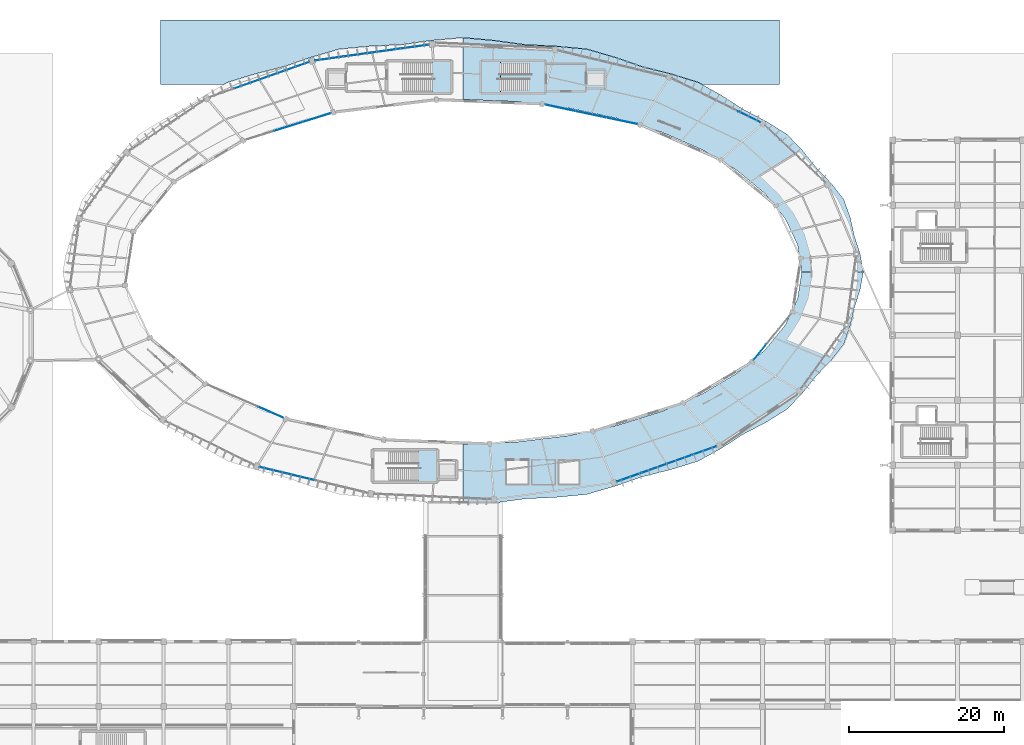
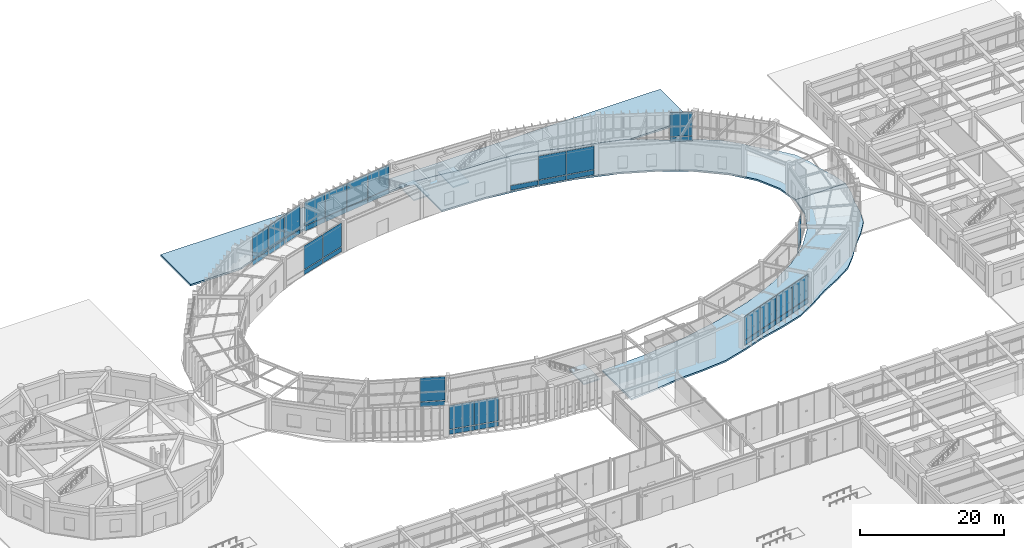
# One storey, part 115 of 157: 41 plates, 6 slabs, 12 elements without a shape of their own.
"""IFC4 building model written with IfcOpenShell, lengths in metres."""

from ifc_helpers import new_model, si_unit, direction, frame, origin, origin_2d, place, context, subcontext, project, spatial, polyline, rectangle, outline, extrude, material, layer, layer_set, type_object, element, aggregate, save


model = new_model("IFC4")

# Units and contexts
model_context = context("Model", 3, precision=1e-05, world=origin(), true_north=direction((0.0, 1.0)))
body_context = subcontext(model_context, "Body", "Model", "MODEL_VIEW")
ifc_project = project(units=[si_unit("LENGTHUNIT", "METRE"), si_unit("AREAUNIT", "SQUARE_METRE"), si_unit("VOLUMEUNIT", "CUBIC_METRE"), si_unit("PLANEANGLEUNIT", "RADIAN"), si_unit("MASSUNIT", "GRAM", prefix="KILO"), si_unit("THERMODYNAMICTEMPERATUREUNIT", "KELVIN"), si_unit("POWERUNIT", "WATT")], contexts=[model_context])

# Site, building, storey
site_placement = place(None, origin())
site = spatial("IfcSite", under=ifc_project, at=site_placement, CompositionType="ELEMENT")
building_placement = place(site_placement, origin())
building = spatial("IfcBuilding", under=site, at=building_placement, Name="Darbajah Civic Hall", CompositionType="ELEMENT")
storey_placement = place(building_placement, origin())
storey = spatial("IfcBuildingStorey", under=building, at=storey_placement, Name="L00", CompositionType="ELEMENT", Elevation=0.0)

# Slab
ifc_material_1 = material(Name="Concrete C45/55", Category="concrete")
ifc_layer_1 = layer(ifc_material_1, 0.300048828125, Name="Concrete C45/55")
ifc_layer_set_1 = layer_set([ifc_layer_1], Name="Concrete C45/55")
slab_type_1 = type_object("IfcSlabType", Name="Exterior Plaza Deck Slab 300mm", PredefinedType="FLOOR", material=ifc_layer_set_1)
slab_1_placement = place(storey_placement, frame((0.0, 0.0, -0.300048828125)))
element("IfcSlab", 1, at=slab_1_placement, inside=storey, type_object=slab_type_1, Name="L00 exterior civic plaza deck APR-N-1", PredefinedType="FLOOR", context=body_context, shape_type="SweptSolid", body=[
    extrude(outline(polyline([(50.0, 114.0), (50.0, 122.35009765625), (130.0, 122.35009765625), (130.0, 114.0), (120.054931640625, 114.0), (119.529296875, 114.292724609375), (119.527587890625, 114.293701171875), (119.525634765625, 114.294189453125), (116.004150390625, 115.38134765625), (116.0029296875, 115.381591796875), (112.353271484375, 116.288330078125), (108.806884765625, 117.516845703125), (108.80615234375, 117.51708984375), (105.09814453125, 118.591552734375), (105.09619140625, 118.591796875), (105.094482421875, 118.59228515625), (101.11962890625, 118.9716796875), (101.11865234375, 118.9716796875), (97.1123046875, 119.1611328125), (93.141845703125, 119.70751953125), (93.140869140625, 119.70751953125), (89.101806640625, 120.072998046875), (89.10009765625, 120.072998046875), (89.09814453125, 120.072998046875), (85.05908203125, 119.70751953125), (85.05810546875, 119.70751953125), (81.087646484375, 119.1611328125), (77.081298828125, 118.9716796875), (77.080322265625, 118.9716796875), (73.10546875, 118.59228515625), (73.103759765625, 118.591796875), (73.101806640625, 118.591552734375), (69.393798828125, 117.51708984375), (69.39306640625, 117.516845703125), (65.8466796875, 116.288330078125), (62.197021484375, 115.381591796875), (62.19580078125, 115.38134765625), (58.67431640625, 114.294189453125), (58.67236328125, 114.293701171875), (58.670654296875, 114.292724609375), (58.14501953125, 114.0), (50.0, 114.0)])), origin(), (0.0, 0.0, 1.0), 0.300048828125),
])

# Curtain wall, plates
ifc_material_2 = material(Name="Anodised Bronze Aluminium and Low-E Glazing", Category="aluminium")
curtain_wall_type_1 = type_object("IfcCurtainWallType", Name="Unitised Curtain Wall CW-02 12800x5100", PredefinedType="USERDEFINED", material=ifc_material_2)
curtain_wall_1_placement = place(storey_placement, origin())
curtain_wall_1 = element("IfcCurtainWall", 2, at=curtain_wall_1_placement, inside=storey, type_object=curtain_wall_type_1, Name="L00 unitised curtain wall CW-V1O-L00-02", ObjectType="UNITISED CURTAIN WALL", PredefinedType="USERDEFINED")
ifc_material_3 = material(Name="Low-E Solar Control Double Glazing", Category="glass")
ifc_layer_2 = layer(ifc_material_3, 0.02392578125, Name="Low-E Solar Control Double Glazing")
ifc_layer_set_2 = layer_set([ifc_layer_2], Name="Low-E Solar Control Double Glazing")
plate_type_1 = type_object("IfcPlateType", Name="Solar Double Glazing 24mm", PredefinedType="CURTAIN_PANEL", material=ifc_layer_set_2)
plate_1_placement = place(storey_placement, frame((126.110595703125, 109.833251953125, 0.10009765625), z_axis=(0.0, 0.0, 1.0), x_axis=(-0.89656374724, 0.442914717678, 0.0)))
plate_1 = element("IfcPlate", 3, at=plate_1_placement, type_object=plate_type_1, Name="CW-V1O-L00-02 glazed panel 1.1", PredefinedType="CURTAIN_PANEL", context=body_context, shape_type="SweptSolid", body=[
    extrude(rectangle(XDim=3.1298828125, YDim=0.02392578125, at=origin_2d()), origin(), (0.0, 0.0, 1.0), 0.800048828125),
])
plate_2_placement = place(storey_placement, frame((126.110595703125, 109.833251953125, 1.0), z_axis=(0.0, 0.0, 1.0), x_axis=(-0.89656374724, 0.442914717678, 0.0)))
plate_2 = element("IfcPlate", 4, at=plate_2_placement, type_object=plate_type_1, Name="CW-V1O-L00-02 glazed panel 1.2", PredefinedType="CURTAIN_PANEL", context=body_context, shape_type="SweptSolid", body=[
    extrude(rectangle(XDim=3.1298828125, YDim=0.02392578125, at=origin_2d()), origin(), (0.0, 0.0, 1.0), 4.02001953125),
])
aggregate(curtain_wall_1, [plate_1, plate_2])

curtain_wall_type_2 = type_object("IfcCurtainWallType", Name="Unitised Curtain Wall CW-05 14900x5100", PredefinedType="USERDEFINED", material=ifc_material_2)
curtain_wall_2_placement = place(storey_placement, origin())
curtain_wall_2 = element("IfcCurtainWall", 5, at=curtain_wall_2_placement, inside=storey, type_object=curtain_wall_type_2, Name="L00 unitised curtain wall CW-V1O-L00-05", ObjectType="UNITISED CURTAIN WALL", PredefinedType="USERDEFINED")
plate_3_placement = place(storey_placement, frame((82.879150390625, 118.90087890625, 0.10009765625), z_axis=(0.0, 0.0, 1.0), x_axis=(-0.990485459553, -0.137617420457, 0.0)))
plate_3 = element("IfcPlate", 6, at=plate_3_placement, type_object=plate_type_1, Name="CW-V1O-L00-05 glazed panel 1.1", PredefinedType="CURTAIN_PANEL", context=body_context, shape_type="SweptSolid", body=[
    extrude(rectangle(XDim=3.66259765625, YDim=0.02392578125, at=origin_2d()), origin(), (0.0, 0.0, 1.0), 0.800048828125),
])
plate_4_placement = place(storey_placement, frame((82.879150390625, 118.90087890625, 1.0), z_axis=(0.0, 0.0, 1.0), x_axis=(-0.990485459553, -0.137617420457, 0.0)))
plate_4 = element("IfcPlate", 7, at=plate_4_placement, type_object=plate_type_1, Name="CW-V1O-L00-05 glazed panel 1.2", PredefinedType="CURTAIN_PANEL", context=body_context, shape_type="SweptSolid", body=[
    extrude(rectangle(XDim=3.66259765625, YDim=0.02392578125, at=origin_2d()), origin(), (0.0, 0.0, 1.0), 4.02001953125),
])
plate_5_placement = place(storey_placement, frame((79.18701171875, 118.38818359375, 0.10009765625), z_axis=(0.0, 0.0, 1.0), x_axis=(-0.990485459553, -0.137617420457, 0.0)))
plate_5 = element("IfcPlate", 8, at=plate_5_placement, type_object=plate_type_1, Name="CW-V1O-L00-05 glazed panel 2.1", PredefinedType="CURTAIN_PANEL", context=body_context, shape_type="SweptSolid", body=[
    extrude(rectangle(XDim=3.66259765625, YDim=0.02392578125, at=origin_2d()), origin(), (0.0, 0.0, 1.0), 0.800048828125),
])
plate_6_placement = place(storey_placement, frame((79.18701171875, 118.38818359375, 1.0), z_axis=(0.0, 0.0, 1.0), x_axis=(-0.990485459553, -0.137617420457, 0.0)))
plate_6 = element("IfcPlate", 9, at=plate_6_placement, type_object=plate_type_1, Name="CW-V1O-L00-05 glazed panel 2.2", PredefinedType="CURTAIN_PANEL", context=body_context, shape_type="SweptSolid", body=[
    extrude(rectangle(XDim=3.66259765625, YDim=0.02392578125, at=origin_2d()), origin(), (0.0, 0.0, 1.0), 4.02001953125),
])
plate_7_placement = place(storey_placement, frame((75.494873046875, 117.87548828125, 0.10009765625), z_axis=(0.0, 0.0, 1.0), x_axis=(-0.990485459553, -0.137617420457, 0.0)))
plate_7 = element("IfcPlate", 10, at=plate_7_placement, type_object=plate_type_1, Name="CW-V1O-L00-05 glazed panel 3.1", PredefinedType="CURTAIN_PANEL", context=body_context, shape_type="SweptSolid", body=[
    extrude(rectangle(XDim=3.66259765625, YDim=0.02392578125, at=origin_2d()), origin(), (0.0, 0.0, 1.0), 0.800048828125),
])
plate_8_placement = place(storey_placement, frame((75.494873046875, 117.87548828125, 1.0), z_axis=(0.0, 0.0, 1.0), x_axis=(-0.990485459553, -0.137617420457, 0.0)))
plate_8 = element("IfcPlate", 11, at=plate_8_placement, type_object=plate_type_1, Name="CW-V1O-L00-05 glazed panel 3.2", PredefinedType="CURTAIN_PANEL", context=body_context, shape_type="SweptSolid", body=[
    extrude(rectangle(XDim=3.66259765625, YDim=0.02392578125, at=origin_2d()), origin(), (0.0, 0.0, 1.0), 4.02001953125),
])
plate_9_placement = place(storey_placement, frame((71.802490234375, 117.36279296875, 0.10009765625), z_axis=(0.0, 0.0, 1.0), x_axis=(-0.990485459553, -0.137617420457, 0.0)))
plate_9 = element("IfcPlate", 12, at=plate_9_placement, type_object=plate_type_1, Name="CW-V1O-L00-05 glazed panel 4.1", PredefinedType="CURTAIN_PANEL", context=body_context, shape_type="SweptSolid", body=[
    extrude(rectangle(XDim=3.66259765625, YDim=0.02392578125, at=origin_2d()), origin(), (0.0, 0.0, 1.0), 0.800048828125),
])
plate_10_placement = place(storey_placement, frame((71.802490234375, 117.36279296875, 1.0), z_axis=(0.0, 0.0, 1.0), x_axis=(-0.990485459553, -0.137617420457, 0.0)))
plate_10 = element("IfcPlate", 13, at=plate_10_placement, type_object=plate_type_1, Name="CW-V1O-L00-05 glazed panel 4.2", PredefinedType="CURTAIN_PANEL", context=body_context, shape_type="SweptSolid", body=[
    extrude(rectangle(XDim=3.66259765625, YDim=0.02392578125, at=origin_2d()), origin(), (0.0, 0.0, 1.0), 4.02001953125),
])
aggregate(curtain_wall_2, [plate_3, plate_4, plate_5, plate_6, plate_7, plate_8, plate_9, plate_10])

curtain_wall_type_3 = type_object("IfcCurtainWallType", Name="Unitised Curtain Wall CW-04 12200x5100", PredefinedType="USERDEFINED", material=ifc_material_2)
curtain_wall_3_placement = place(storey_placement, origin())
curtain_wall_3 = element("IfcCurtainWall", 14, at=curtain_wall_3_placement, inside=storey, type_object=curtain_wall_type_3, Name="L00 unitised curtain wall CW-V1I-L00-03", ObjectType="UNITISED CURTAIN WALL", PredefinedType="USERDEFINED")
ifc_layer_3 = layer(ifc_material_3, 0.028076171875, Name="Low-E Solar Control Double Glazing")
ifc_layer_set_3 = layer_set([ifc_layer_3], Name="Low-E Solar Control Double Glazing")
plate_type_2 = type_object("IfcPlateType", Name="Solar Double Glazing 28mm", PredefinedType="CURTAIN_PANEL", material=ifc_layer_set_3)
plate_11_placement = place(storey_placement, frame((109.645751953125, 109.30712890625, 0.119873046875), z_axis=(0.0, 0.0, 1.0), x_axis=(-0.978472980779, 0.206374964291, 0.0)))
plate_11 = element("IfcPlate", 15, at=plate_11_placement, type_object=plate_type_2, Name="CW-V1I-L00-03 glazed panel 1.1", PredefinedType="CURTAIN_PANEL", context=body_context, shape_type="SweptSolid", body=[
    extrude(rectangle(XDim=4.00830078125, YDim=0.028076171875, at=origin_2d()), origin(), (0.0, 0.0, 1.0), 0.77001953125),
])
plate_12_placement = place(storey_placement, frame((109.645751953125, 109.30712890625, 1.009765625), z_axis=(0.0, 0.0, 1.0), x_axis=(-0.978472980779, 0.206374964291, 0.0)))
plate_12 = element("IfcPlate", 16, at=plate_12_placement, type_object=plate_type_2, Name="CW-V1I-L00-03 glazed panel 1.2", PredefinedType="CURTAIN_PANEL", context=body_context, shape_type="SweptSolid", body=[
    extrude(rectangle(XDim=4.00830078125, YDim=0.028076171875, at=origin_2d()), origin(), (0.0, 0.0, 1.0), 3.989990234375),
])
plate_13_placement = place(storey_placement, frame((105.6552734375, 110.148681640625, 0.119873046875), z_axis=(0.0, 0.0, 1.0), x_axis=(-0.978472980779, 0.206374964291, 0.0)))
plate_13 = element("IfcPlate", 17, at=plate_13_placement, type_object=plate_type_2, Name="CW-V1I-L00-03 glazed panel 2.1", PredefinedType="CURTAIN_PANEL", context=body_context, shape_type="SweptSolid", body=[
    extrude(rectangle(XDim=4.00830078125, YDim=0.028076171875, at=origin_2d()), origin(), (0.0, 0.0, 1.0), 0.77001953125),
])
plate_14_placement = place(storey_placement, frame((105.6552734375, 110.148681640625, 1.009765625), z_axis=(0.0, 0.0, 1.0), x_axis=(-0.978472980779, 0.206374964291, 0.0)))
plate_14 = element("IfcPlate", 18, at=plate_14_placement, type_object=plate_type_2, Name="CW-V1I-L00-03 glazed panel 2.2", PredefinedType="CURTAIN_PANEL", context=body_context, shape_type="SweptSolid", body=[
    extrude(rectangle(XDim=4.00830078125, YDim=0.028076171875, at=origin_2d()), origin(), (0.0, 0.0, 1.0), 3.989990234375),
])
plate_15_placement = place(storey_placement, frame((101.66455078125, 110.990478515625, 0.119873046875), z_axis=(0.0, 0.0, 1.0), x_axis=(-0.978472980779, 0.206374964291, 0.0)))
plate_15 = element("IfcPlate", 19, at=plate_15_placement, type_object=plate_type_2, Name="CW-V1I-L00-03 glazed panel 3.1", PredefinedType="CURTAIN_PANEL", context=body_context, shape_type="SweptSolid", body=[
    extrude(rectangle(XDim=4.00830078125, YDim=0.028076171875, at=origin_2d()), origin(), (0.0, 0.0, 1.0), 0.77001953125),
])
aggregate(curtain_wall_3, [plate_11, plate_12, plate_13, plate_14, plate_15])

curtain_wall_type_4 = type_object("IfcCurtainWallType", Name="Unitised Curtain Wall CW-07 11500x5100", PredefinedType="USERDEFINED", material=ifc_material_2)
curtain_wall_4_placement = place(storey_placement, origin())
curtain_wall_4 = element("IfcCurtainWall", 20, at=curtain_wall_4_placement, inside=storey, type_object=curtain_wall_type_4, Name="L00 unitised curtain wall CW-V1I-L00-06", ObjectType="UNITISED CURTAIN WALL", PredefinedType="USERDEFINED")
plate_16_placement = place(storey_placement, frame((70.1669921875, 109.72509765625, 0.119873046875), z_axis=(0.0, 0.0, 1.0), x_axis=(-0.954604963513, -0.297874744877, 0.0)))
plate_16 = element("IfcPlate", 21, at=plate_16_placement, type_object=plate_type_2, Name="CW-V1I-L00-06 glazed panel 1.1", PredefinedType="CURTAIN_PANEL", context=body_context, shape_type="SweptSolid", body=[
    extrude(rectangle(XDim=3.775390625, YDim=0.028076171875, at=origin_2d()), origin(), (0.0, 0.0, 1.0), 0.77001953125),
])
plate_17_placement = place(storey_placement, frame((70.1669921875, 109.72509765625, 1.009765625), z_axis=(0.0, 0.0, 1.0), x_axis=(-0.954604963513, -0.297874744877, 0.0)))
plate_17 = element("IfcPlate", 22, at=plate_17_placement, type_object=plate_type_2, Name="CW-V1I-L00-06 glazed panel 1.2", PredefinedType="CURTAIN_PANEL", context=body_context, shape_type="SweptSolid", body=[
    extrude(rectangle(XDim=3.775390625, YDim=0.028076171875, at=origin_2d()), origin(), (0.0, 0.0, 1.0), 3.989990234375),
])
plate_18_placement = place(storey_placement, frame((66.496337890625, 108.579833984375, 0.119873046875), z_axis=(0.0, 0.0, 1.0), x_axis=(-0.954604963513, -0.297874744877, 0.0)))
plate_18 = element("IfcPlate", 23, at=plate_18_placement, type_object=plate_type_2, Name="CW-V1I-L00-06 glazed panel 2.1", PredefinedType="CURTAIN_PANEL", context=body_context, shape_type="SweptSolid", body=[
    extrude(rectangle(XDim=3.775390625, YDim=0.028076171875, at=origin_2d()), origin(), (0.0, 0.0, 1.0), 0.77001953125),
])
plate_19_placement = place(storey_placement, frame((66.496337890625, 108.579833984375, 1.009765625), z_axis=(0.0, 0.0, 1.0), x_axis=(-0.954604963513, -0.297874744877, 0.0)))
plate_19 = element("IfcPlate", 24, at=plate_19_placement, type_object=plate_type_2, Name="CW-V1I-L00-06 glazed panel 2.2", PredefinedType="CURTAIN_PANEL", context=body_context, shape_type="SweptSolid", body=[
    extrude(rectangle(XDim=3.775390625, YDim=0.028076171875, at=origin_2d()), origin(), (0.0, 0.0, 1.0), 3.989990234375),
])
aggregate(curtain_wall_4, [plate_16, plate_17, plate_18, plate_19])

curtain_wall_type_5 = type_object("IfcCurtainWallType", Name="Unitised Curtain Wall CW-01 10700x5100", PredefinedType="USERDEFINED", material=ifc_material_2)
curtain_wall_5_placement = place(storey_placement, origin())
curtain_wall_5 = element("IfcCurtainWall", 25, at=curtain_wall_5_placement, inside=storey, type_object=curtain_wall_type_5, Name="L00 unitised curtain wall CW-V1I-L00-12", ObjectType="UNITISED CURTAIN WALL", PredefinedType="USERDEFINED")
plate_20_placement = place(storey_placement, frame((64.2626953125, 71.635009765625, 0.119873046875), z_axis=(0.0, 0.0, 1.0), x_axis=(0.917060074385, -0.398749068925, 0.0)))
plate_20 = element("IfcPlate", 26, at=plate_20_placement, type_object=plate_type_2, Name="CW-V1I-L00-12 glazed panel 3.1", PredefinedType="CURTAIN_PANEL", context=body_context, shape_type="SweptSolid", body=[
    extrude(rectangle(XDim=3.48291015625, YDim=0.028076171875, at=origin_2d()), origin(), (0.0, 0.0, 1.0), 0.77001953125),
])
plate_21_placement = place(storey_placement, frame((64.2626953125, 71.635009765625, 1.009765625), z_axis=(0.0, 0.0, 1.0), x_axis=(0.917060074385, -0.398749068925, 0.0)))
plate_21 = element("IfcPlate", 27, at=plate_21_placement, type_object=plate_type_2, Name="CW-V1I-L00-12 glazed panel 3.2", PredefinedType="CURTAIN_PANEL", context=body_context, shape_type="SweptSolid", body=[
    extrude(rectangle(XDim=3.48291015625, YDim=0.028076171875, at=origin_2d()), origin(), (0.0, 0.0, 1.0), 3.989990234375),
])
aggregate(curtain_wall_5, [plate_20, plate_21])

curtain_wall_type_6 = type_object("IfcCurtainWallType", Name="Unitised Curtain Wall CW-13 14400x5100", PredefinedType="USERDEFINED", material=ifc_material_2)
curtain_wall_6_placement = place(storey_placement, origin())
curtain_wall_6 = element("IfcCurtainWall", 28, at=curtain_wall_6_placement, inside=storey, type_object=curtain_wall_type_6, Name="L00 unitised curtain wall CW-V1O-L00-13", ObjectType="UNITISED CURTAIN WALL", PredefinedType="USERDEFINED")
plate_22_placement = place(storey_placement, frame((64.5703125, 64.139892578125, 0.119873046875), z_axis=(0.0, 0.0, 1.0), x_axis=(0.972492018808, -0.232936200179, 0.0)))
plate_22 = element("IfcPlate", 29, at=plate_22_placement, type_object=plate_type_2, Name="CW-V1O-L00-13 glazed panel 1.1", PredefinedType="CURTAIN_PANEL", context=body_context, shape_type="SweptSolid", body=[
    extrude(rectangle(XDim=3.53125, YDim=0.028076171875, at=origin_2d()), origin(), (0.0, 0.0, 1.0), 0.77001953125),
])
plate_23_placement = place(storey_placement, frame((64.5703125, 64.139892578125, 1.009765625), z_axis=(0.0, 0.0, 1.0), x_axis=(0.972492018808, -0.232936200179, 0.0)))
plate_23 = element("IfcPlate", 30, at=plate_23_placement, type_object=plate_type_2, Name="CW-V1O-L00-13 glazed panel 1.2", PredefinedType="CURTAIN_PANEL", context=body_context, shape_type="SweptSolid", body=[
    extrude(rectangle(XDim=3.53125, YDim=0.028076171875, at=origin_2d()), origin(), (0.0, 0.0, 1.0), 3.989990234375),
])
plate_24_placement = place(storey_placement, frame((68.072509765625, 63.30078125, 0.119873046875), z_axis=(0.0, 0.0, 1.0), x_axis=(0.972492018808, -0.232936200179, 0.0)))
plate_24 = element("IfcPlate", 31, at=plate_24_placement, type_object=plate_type_2, Name="CW-V1O-L00-13 glazed panel 2.1", PredefinedType="CURTAIN_PANEL", context=body_context, shape_type="SweptSolid", body=[
    extrude(rectangle(XDim=3.53125, YDim=0.028076171875, at=origin_2d()), origin(), (0.0, 0.0, 1.0), 0.77001953125),
])
plate_25_placement = place(storey_placement, frame((68.072509765625, 63.30078125, 1.009765625), z_axis=(0.0, 0.0, 1.0), x_axis=(0.972492018808, -0.232936200179, 0.0)))
plate_25 = element("IfcPlate", 32, at=plate_25_placement, type_object=plate_type_2, Name="CW-V1O-L00-13 glazed panel 2.2", PredefinedType="CURTAIN_PANEL", context=body_context, shape_type="SweptSolid", body=[
    extrude(rectangle(XDim=3.53125, YDim=0.028076171875, at=origin_2d()), origin(), (0.0, 0.0, 1.0), 3.989990234375),
])
aggregate(curtain_wall_6, [plate_22, plate_23, plate_24, plate_25])

curtain_wall_type_7 = type_object("IfcCurtainWallType", Name="Unitised Curtain Wall CW-15 13700x5100", PredefinedType="USERDEFINED", material=ifc_material_2)
curtain_wall_7_placement = place(storey_placement, origin())
curtain_wall_7 = element("IfcCurtainWall", 33, at=curtain_wall_7_placement, inside=storey, type_object=curtain_wall_type_7, Name="L00 unitised curtain wall CW-V1O-L00-16", ObjectType="UNITISED CURTAIN WALL", PredefinedType="USERDEFINED")
plate_26_placement = place(storey_placement, frame((110.583984375, 63.242919921875, 0.119873046875), z_axis=(0.0, 0.0, 1.0), x_axis=(0.94252491309, 0.334135882844, 0.0)))
plate_26 = element("IfcPlate", 34, at=plate_26_placement, type_object=plate_type_2, Name="CW-V1O-L00-16 glazed panel 1.1", PredefinedType="CURTAIN_PANEL", context=body_context, shape_type="SweptSolid", body=[
    extrude(rectangle(XDim=3.35009765625, YDim=0.028076171875, at=origin_2d()), origin(), (0.0, 0.0, 1.0), 0.77001953125),
])
plate_27_placement = place(storey_placement, frame((110.583984375, 63.242919921875, 1.009765625), z_axis=(0.0, 0.0, 1.0), x_axis=(0.94252491309, 0.334135882844, 0.0)))
plate_27 = element("IfcPlate", 35, at=plate_27_placement, type_object=plate_type_2, Name="CW-V1O-L00-16 glazed panel 1.2", PredefinedType="CURTAIN_PANEL", context=body_context, shape_type="SweptSolid", body=[
    extrude(rectangle(XDim=3.35009765625, YDim=0.028076171875, at=origin_2d()), origin(), (0.0, 0.0, 1.0), 3.989990234375),
])
plate_28_placement = place(storey_placement, frame((113.8076171875, 64.385498046875, 0.119873046875), z_axis=(0.0, 0.0, 1.0), x_axis=(0.94252491309, 0.334135882844, 0.0)))
plate_28 = element("IfcPlate", 36, at=plate_28_placement, type_object=plate_type_2, Name="CW-V1O-L00-16 glazed panel 2.1", PredefinedType="CURTAIN_PANEL", context=body_context, shape_type="SweptSolid", body=[
    extrude(rectangle(XDim=3.35009765625, YDim=0.028076171875, at=origin_2d()), origin(), (0.0, 0.0, 1.0), 0.77001953125),
])
plate_29_placement = place(storey_placement, frame((113.8076171875, 64.385498046875, 1.009765625), z_axis=(0.0, 0.0, 1.0), x_axis=(0.94252491309, 0.334135882844, 0.0)))
plate_29 = element("IfcPlate", 37, at=plate_29_placement, type_object=plate_type_2, Name="CW-V1O-L00-16 glazed panel 2.2", PredefinedType="CURTAIN_PANEL", context=body_context, shape_type="SweptSolid", body=[
    extrude(rectangle(XDim=3.35009765625, YDim=0.028076171875, at=origin_2d()), origin(), (0.0, 0.0, 1.0), 3.989990234375),
])
plate_30_placement = place(storey_placement, frame((117.03125, 65.528076171875, 0.119873046875), z_axis=(0.0, 0.0, 1.0), x_axis=(0.94252491309, 0.334135882844, 0.0)))
plate_30 = element("IfcPlate", 38, at=plate_30_placement, type_object=plate_type_2, Name="CW-V1O-L00-16 glazed panel 3.1", PredefinedType="CURTAIN_PANEL", context=body_context, shape_type="SweptSolid", body=[
    extrude(rectangle(XDim=3.35009765625, YDim=0.028076171875, at=origin_2d()), origin(), (0.0, 0.0, 1.0), 0.77001953125),
])
plate_31_placement = place(storey_placement, frame((117.03125, 65.528076171875, 1.009765625), z_axis=(0.0, 0.0, 1.0), x_axis=(0.94252491309, 0.334135882844, 0.0)))
plate_31 = element("IfcPlate", 39, at=plate_31_placement, type_object=plate_type_2, Name="CW-V1O-L00-16 glazed panel 3.2", PredefinedType="CURTAIN_PANEL", context=body_context, shape_type="SweptSolid", body=[
    extrude(rectangle(XDim=3.35009765625, YDim=0.028076171875, at=origin_2d()), origin(), (0.0, 0.0, 1.0), 3.989990234375),
])
plate_32_placement = place(storey_placement, frame((120.2548828125, 66.670654296875, 0.119873046875), z_axis=(0.0, 0.0, 1.0), x_axis=(0.94252491309, 0.334135882844, 0.0)))
plate_32 = element("IfcPlate", 40, at=plate_32_placement, type_object=plate_type_2, Name="CW-V1O-L00-16 glazed panel 4.1", PredefinedType="CURTAIN_PANEL", context=body_context, shape_type="SweptSolid", body=[
    extrude(rectangle(XDim=3.35009765625, YDim=0.028076171875, at=origin_2d()), origin(), (0.0, 0.0, 1.0), 0.77001953125),
])
plate_33_placement = place(storey_placement, frame((120.2548828125, 66.670654296875, 1.009765625), z_axis=(0.0, 0.0, 1.0), x_axis=(0.94252491309, 0.334135882844, 0.0)))
plate_33 = element("IfcPlate", 41, at=plate_33_placement, type_object=plate_type_2, Name="CW-V1O-L00-16 glazed panel 4.2", PredefinedType="CURTAIN_PANEL", context=body_context, shape_type="SweptSolid", body=[
    extrude(rectangle(XDim=3.35009765625, YDim=0.028076171875, at=origin_2d()), origin(), (0.0, 0.0, 1.0), 3.989990234375),
])
aggregate(curtain_wall_7, [plate_26, plate_27, plate_28, plate_29, plate_30, plate_31, plate_32, plate_33])

curtain_wall_type_8 = type_object("IfcCurtainWallType", Name="Unitised Curtain Wall CW-17 7600x5100", PredefinedType="USERDEFINED", material=ifc_material_2)
curtain_wall_8_placement = place(storey_placement, origin())
curtain_wall_8 = element("IfcCurtainWall", 42, at=curtain_wall_8_placement, inside=storey, type_object=curtain_wall_type_8, Name="L00 unitised curtain wall CW-V1I-L00-18", ObjectType="UNITISED CURTAIN WALL", PredefinedType="USERDEFINED")
plate_34_placement = place(storey_placement, frame((127.4677734375, 79.404541015625, 0.119873046875), z_axis=(0.0, 0.0, 1.0), x_axis=(0.63108205791, 0.775716079622, 0.0)))
plate_34 = element("IfcPlate", 43, at=plate_34_placement, type_object=plate_type_2, Name="CW-V1I-L00-18 glazed panel 1.1", PredefinedType="CURTAIN_PANEL", context=body_context, shape_type="SweptSolid", body=[
    extrude(rectangle(XDim=2.46533203125, YDim=0.028076171875, at=origin_2d()), origin(), (0.0, 0.0, 1.0), 0.77001953125),
])
plate_35_placement = place(storey_placement, frame((127.4677734375, 79.404541015625, 1.009765625), z_axis=(0.0, 0.0, 1.0), x_axis=(0.63108205791, 0.775716079622, 0.0)))
plate_35 = element("IfcPlate", 44, at=plate_35_placement, type_object=plate_type_2, Name="CW-V1I-L00-18 glazed panel 1.2", PredefinedType="CURTAIN_PANEL", context=body_context, shape_type="SweptSolid", body=[
    extrude(rectangle(XDim=2.46533203125, YDim=0.028076171875, at=origin_2d()), origin(), (0.0, 0.0, 1.0), 3.989990234375),
])
aggregate(curtain_wall_8, [plate_34, plate_35])

curtain_wall_type_9 = type_object("IfcCurtainWallType", Name="Unitised Curtain Wall CW-06 13700x5100", PredefinedType="USERDEFINED", material=ifc_material_2)
curtain_wall_9_placement = place(storey_placement, origin())
curtain_wall_9 = element("IfcCurtainWall", 45, at=curtain_wall_9_placement, inside=storey, type_object=curtain_wall_type_9, Name="L00 unitised curtain wall CW-V1O-L00-06", ObjectType="UNITISED CURTAIN WALL", PredefinedType="USERDEFINED")
ifc_layer_4 = layer(ifc_material_3, 0.031982421875, Name="Low-E Solar Control Double Glazing")
ifc_layer_set_4 = layer_set([ifc_layer_4], Name="Low-E Solar Control Double Glazing")
plate_type_3 = type_object("IfcPlateType", Name="Solar Double Glazing 32mm", PredefinedType="CURTAIN_PANEL", material=ifc_layer_set_4)
plate_36_placement = place(storey_placement, frame((67.615966796875, 116.357177734375, 0.14013671875), z_axis=(0.0, 0.0, 1.0), x_axis=(-0.94252491309, -0.334135882844, 0.0)))
plate_36 = element("IfcPlate", 46, at=plate_36_placement, type_object=plate_type_3, Name="CW-V1O-L00-06 glazed panel 1.1", PredefinedType="CURTAIN_PANEL", context=body_context, shape_type="SweptSolid", body=[
    extrude(rectangle(XDim=3.34521484375, YDim=0.031982421875, at=origin_2d()), origin(), (0.0, 0.0, 1.0), 0.739990234375),
])
plate_37_placement = place(storey_placement, frame((67.615966796875, 116.357177734375, 1.02001953125), z_axis=(0.0, 0.0, 1.0), x_axis=(-0.94252491309, -0.334135882844, 0.0)))
plate_37 = element("IfcPlate", 47, at=plate_37_placement, type_object=plate_type_3, Name="CW-V1O-L00-06 glazed panel 1.2", PredefinedType="CURTAIN_PANEL", context=body_context, shape_type="SweptSolid", body=[
    extrude(rectangle(XDim=3.34521484375, YDim=0.031982421875, at=origin_2d()), origin(), (0.0, 0.0, 1.0), 3.9599609375),
])
plate_38_placement = place(storey_placement, frame((64.392333984375, 115.214599609375, 0.14013671875), z_axis=(0.0, 0.0, 1.0), x_axis=(-0.94252491309, -0.334135882844, 0.0)))
plate_38 = element("IfcPlate", 48, at=plate_38_placement, type_object=plate_type_3, Name="CW-V1O-L00-06 glazed panel 2.1", PredefinedType="CURTAIN_PANEL", context=body_context, shape_type="SweptSolid", body=[
    extrude(rectangle(XDim=3.34521484375, YDim=0.031982421875, at=origin_2d()), origin(), (0.0, 0.0, 1.0), 0.739990234375),
])
plate_39_placement = place(storey_placement, frame((64.392333984375, 115.214599609375, 1.02001953125), z_axis=(0.0, 0.0, 1.0), x_axis=(-0.94252491309, -0.334135882844, 0.0)))
plate_39 = element("IfcPlate", 49, at=plate_39_placement, type_object=plate_type_3, Name="CW-V1O-L00-06 glazed panel 2.2", PredefinedType="CURTAIN_PANEL", context=body_context, shape_type="SweptSolid", body=[
    extrude(rectangle(XDim=3.34521484375, YDim=0.031982421875, at=origin_2d()), origin(), (0.0, 0.0, 1.0), 3.9599609375),
])
plate_40_placement = place(storey_placement, frame((61.168701171875, 114.072021484375, 0.14013671875), z_axis=(0.0, 0.0, 1.0), x_axis=(-0.94252491309, -0.334135882844, 0.0)))
plate_40 = element("IfcPlate", 50, at=plate_40_placement, type_object=plate_type_3, Name="CW-V1O-L00-06 glazed panel 3.1", PredefinedType="CURTAIN_PANEL", context=body_context, shape_type="SweptSolid", body=[
    extrude(rectangle(XDim=3.34521484375, YDim=0.031982421875, at=origin_2d()), origin(), (0.0, 0.0, 1.0), 0.739990234375),
])
plate_41_placement = place(storey_placement, frame((61.168701171875, 114.072021484375, 1.02001953125), z_axis=(0.0, 0.0, 1.0), x_axis=(-0.94252491309, -0.334135882844, 0.0)))
plate_41 = element("IfcPlate", 51, at=plate_41_placement, type_object=plate_type_3, Name="CW-V1O-L00-06 glazed panel 3.2", PredefinedType="CURTAIN_PANEL", context=body_context, shape_type="SweptSolid", body=[
    extrude(rectangle(XDim=3.34521484375, YDim=0.031982421875, at=origin_2d()), origin(), (0.0, 0.0, 1.0), 3.9599609375),
])
aggregate(curtain_wall_9, [plate_36, plate_37, plate_38, plate_39, plate_40, plate_41])

# Stair, slab
stair_type_1 = type_object("IfcStairType", Name="Half Turn Stair 1650x5400", PredefinedType="HALF_TURN_STAIR", material=ifc_material_1)
stair_1_placement = place(storey_placement, origin())
stair_1 = element("IfcStair", 52, at=stair_1_placement, inside=storey, type_object=stair_type_1, Name="L00 enclosed exit stair ST01", PredefinedType="HALF_TURN_STAIR")
ifc_layer_5 = layer(ifc_material_1, 0.199951171875, Name="Concrete C45/55")
ifc_layer_set_5 = layer_set([ifc_layer_5], Name="Concrete C45/55")
slab_type_2 = type_object("IfcSlabType", Name="Stair Landing Slab 200mm", PredefinedType="LANDING", material=ifc_layer_set_5)
slab_2_placement = place(storey_placement, frame((0.0, 0.0, 2.5)))
slab_2 = element("IfcSlab", 53, at=slab_2_placement, type_object=slab_type_2, Name="ST01 L00 half-landing", PredefinedType="LANDING", context=body_context, shape_type="SweptSolid", body=[
    extrude(outline(polyline([(85.06005859375, 112.89990234375), (87.60009765625, 112.89990234375), (87.60009765625, 117.10009765625), (85.06005859375, 117.10009765625), (85.06005859375, 112.89990234375)])), origin(), (0.0, 0.0, 1.0), 0.199951171875),
])
aggregate(stair_1, [slab_2])

stair_2_placement = place(storey_placement, origin())
stair_2 = element("IfcStair", 54, at=stair_2_placement, inside=storey, type_object=stair_type_1, Name="L00 enclosed exit stair ST02", PredefinedType="HALF_TURN_STAIR")
slab_3_placement = place(storey_placement, frame((0.0, 0.0, 2.5)))
slab_3 = element("IfcSlab", 55, at=slab_3_placement, type_object=slab_type_2, Name="ST02 L00 half-landing", PredefinedType="LANDING", context=body_context, shape_type="SweptSolid", body=[
    extrude(outline(polyline([(91.39990234375, 112.89990234375), (93.93994140625, 112.89990234375), (93.93994140625, 117.10009765625), (91.39990234375, 117.10009765625), (91.39990234375, 112.89990234375)])), origin(), (0.0, 0.0, 1.0), 0.199951171875),
])
aggregate(stair_2, [slab_3])

stair_type_2 = type_object("IfcStairType", Name="Double Return Stair 1850x5400", PredefinedType="DOUBLE_RETURN_STAIR", material=ifc_material_1)
stair_3_placement = place(storey_placement, origin())
stair_3 = element("IfcStair", 56, at=stair_3_placement, inside=storey, type_object=stair_type_2, Name="L00 enclosed exit stair ST03", PredefinedType="DOUBLE_RETURN_STAIR")
slab_4_placement = place(storey_placement, frame((0.0, 0.0, 2.5)))
slab_4 = element("IfcSlab", 57, at=slab_4_placement, type_object=slab_type_2, Name="ST03 L00 half-landing", PredefinedType="LANDING", context=body_context, shape_type="SweptSolid", body=[
    extrude(outline(polyline([(83.260009765625, 62.60009765625), (85.800048828125, 62.60009765625), (85.800048828125, 66.800048828125), (83.260009765625, 66.800048828125), (83.260009765625, 62.60009765625)])), origin(), (0.0, 0.0, 1.0), 0.199951171875),
])
aggregate(stair_3, [slab_4])

# Slabs
ifc_layer_6 = layer(ifc_material_1, 0.280029296875, Name="Concrete C45/55")
ifc_layer_set_6 = layer_set([ifc_layer_6], Name="Concrete C45/55")
slab_type_3 = type_object("IfcSlabType", Name="Structural Floor Slab 280mm", PredefinedType="FLOOR", material=ifc_layer_set_6)
slab_5_placement = place(storey_placement, frame((0.0, 0.0, -0.280029296875)))
element("IfcSlab", 58, at=slab_5_placement, inside=storey, type_object=slab_type_3, Name="L00 Oval Administration Ring NE floor slab", PredefinedType="FLOOR", context=body_context, shape_type="SweptSolid", body=[
    extrude(outline(polyline([(140.85302734375, 89.800048828125), (140.42138671875, 92.152099609375), (139.676513671875, 94.447265625), (139.15771484375, 96.798583984375), (138.320068359375, 99.148681640625), (136.661376953125, 101.272705078125), (134.725830078125, 103.28662109375), (132.993896484375, 105.464599609375), (130.968994140625, 107.582275390625), (128.24560546875, 109.2705078125), (125.308837890625, 110.805908203125), (122.53369140625, 112.596923828125), (119.519775390625, 114.275146484375), (115.998291015625, 115.3623046875), (112.347412109375, 116.26904296875), (108.800537109375, 117.497802734375), (105.092529296875, 118.572265625), (101.117919921875, 118.95166015625), (97.110595703125, 119.141357421875), (93.13916015625, 119.6875), (89.10009765625, 120.052978515625), (89.10009765625, 112.080078125), (95.94873046875, 111.8056640625), (102.62890625, 110.989501953125), (108.9755859375, 109.651611328125), (114.833251953125, 107.824951171875), (120.05712890625, 105.55419921875), (124.518798828125, 102.89599609375), (128.1083984375, 99.914794921875), (130.7373046875, 96.684814453125), (132.341064453125, 93.285400390625), (132.8798828125, 89.800048828125), (140.85302734375, 89.800048828125)])), origin(), (0.0, 0.0, 1.0), 0.280029296875),
])
slab_6_placement = place(storey_placement, frame((0.0, 0.0, -0.280029296875)))
element("IfcSlab", 59, at=slab_6_placement, inside=storey, type_object=slab_type_3, Name="L00 Oval Administration Ring SE floor slab", PredefinedType="FLOOR", context=body_context, shape_type="SweptSolid", body=[
    extrude(outline(polyline([(89.10009765625, 59.547119140625), (93.13916015625, 59.912353515625), (97.110595703125, 60.458740234375), (101.117919921875, 60.648193359375), (105.092529296875, 61.027587890625), (108.800537109375, 62.10205078125), (112.347412109375, 63.330810546875), (115.998291015625, 64.23779296875), (119.519775390625, 65.32470703125), (122.53369140625, 67.0029296875), (125.308837890625, 68.7939453125), (128.24560546875, 70.32958984375), (130.968994140625, 72.017578125), (132.993896484375, 74.135498046875), (134.725830078125, 76.313232421875), (136.661376953125, 78.3271484375), (138.320068359375, 80.451416015625), (139.15771484375, 82.80126953125), (139.676513671875, 85.15283203125), (140.42138671875, 87.44775390625), (140.85302734375, 89.800048828125), (132.8798828125, 89.800048828125), (132.341064453125, 86.314697265625), (130.7373046875, 82.9150390625), (128.1083984375, 79.68505859375), (124.518798828125, 76.7041015625), (120.05712890625, 74.045654296875), (114.833251953125, 71.775146484375), (108.9755859375, 69.948486328125), (102.62890625, 68.610595703125), (95.94873046875, 67.794189453125), (89.10009765625, 67.52001953125), (89.10009765625, 59.547119140625)])), origin(), (0.0, 0.0, 1.0), 0.280029296875),
])

save(model, "model.ifc")
